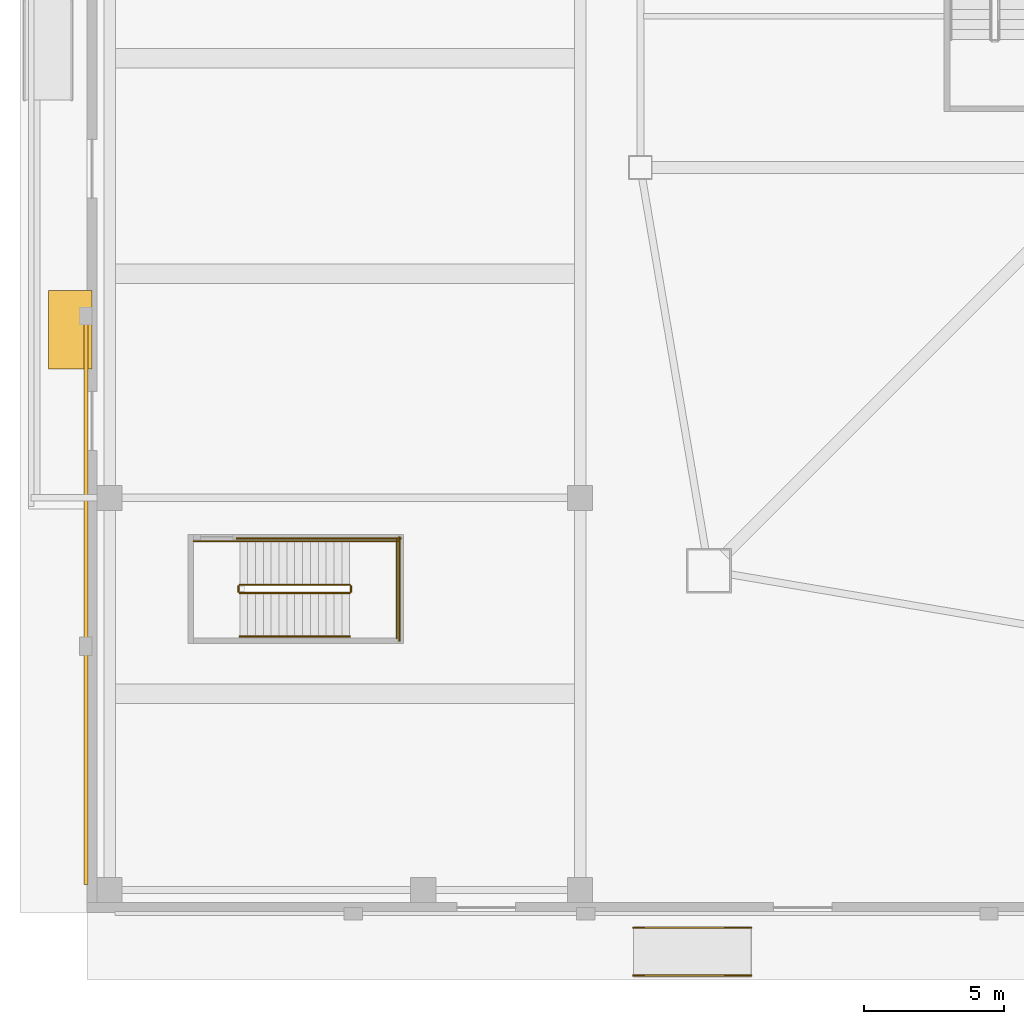
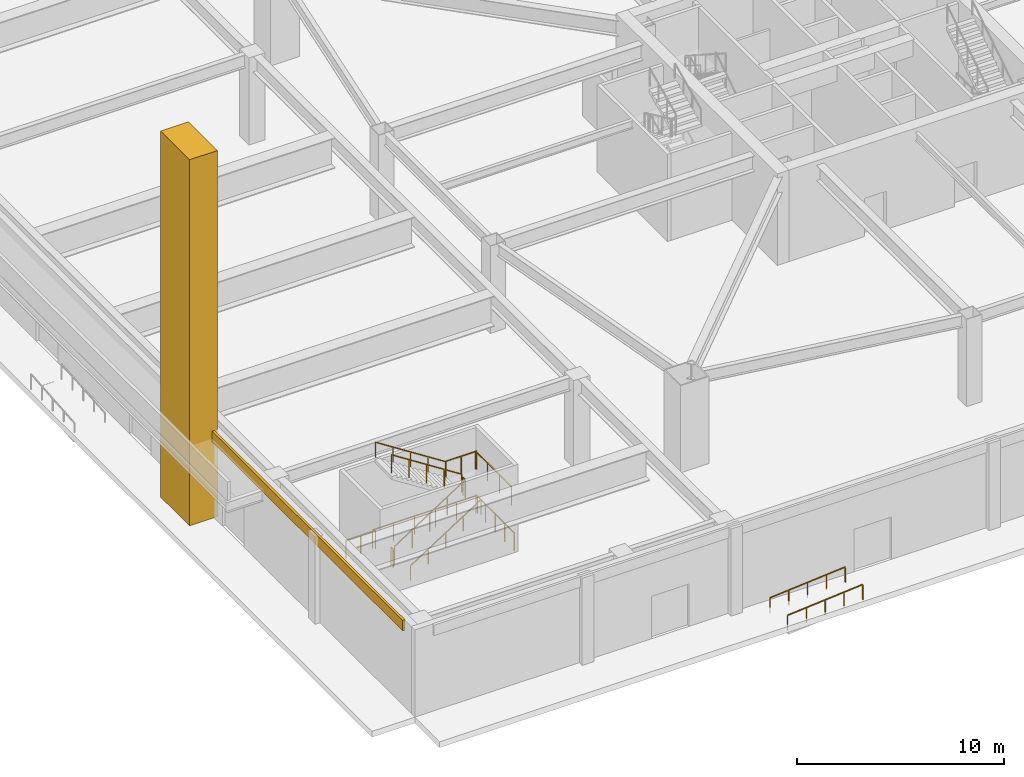
# One storey, part 17 of 26: 13 railings, 2 coverings.
"""IFC4 building model written with IfcOpenShell, lengths in metres."""

from ifc_helpers import new_model, si_unit, direction, frame, origin, origin_2d, place, context, subcontext, project, spatial, rectangle, extrude, material, layer, layer_set, type_object, element, save


model = new_model("IFC4")

# Units and contexts
model_context = context("Model", 3, precision=1e-05, world=origin(), true_north=direction((0.0, 1.0)))
body_context = subcontext(model_context, "Body", "Model", "MODEL_VIEW")
ifc_project = project(units=[si_unit("LENGTHUNIT", "METRE"), si_unit("AREAUNIT", "SQUARE_METRE"), si_unit("VOLUMEUNIT", "CUBIC_METRE"), si_unit("PLANEANGLEUNIT", "RADIAN"), si_unit("MASSUNIT", "GRAM", prefix="KILO")], contexts=[model_context])

# Site, building, storey
site_placement = place(None, origin())
site = spatial("IfcSite", under=ifc_project, at=site_placement, CompositionType="ELEMENT")
building_placement = place(site_placement, origin())
building = spatial("IfcBuilding", under=site, at=building_placement, Name="Tashvorn Skyway Center", CompositionType="ELEMENT")
storey_placement = place(building_placement, origin())
storey = spatial("IfcBuildingStorey", under=building, at=storey_placement, Name="L00", CompositionType="ELEMENT", Elevation=0.0)

# Coverings
ifc_material_1 = material(Name="Precast concrete C40/50", Category="concrete")
ifc_layer = layer(ifc_material_1, 0.35009765625)
ifc_layer_set = layer_set([ifc_layer], Name="Precast concrete C40/50")
covering_type = type_object("IfcCoveringType", Name="COV-STONE-TRIM", PredefinedType="CLADDING", material=ifc_layer_set)
covering_1_placement = place(storey_placement, frame((-0.0400390625, 11.0, 4.52001953125), z_axis=(0.0, 0.0, 1.0), x_axis=(1.0, 0.0, 0.0)))
element("IfcCovering", 1, at=covering_1_placement, inside=storey, type_object=covering_type, Name="L00 Mojave Limestone Entablature Band W1", PredefinedType="CLADDING", context=body_context, shape_type="SweptSolid", body=[
    extrude(rectangle(XDim=0.139892578125, YDim=20.0, at=origin_2d()), origin(), (0.0, 0.0, 1.0), 0.6201171875),
])
covering_2_placement = place(storey_placement, frame((-0.60009765625, 20.800048828125, 0.0), z_axis=(0.0, 0.0, 1.0), x_axis=(1.0, 0.0, 0.0)))
element("IfcCovering", 2, at=covering_2_placement, inside=storey, type_object=covering_type, Name="Postmodern Station Portal Limestone Pylon WEST 1", PredefinedType="CLADDING", context=body_context, shape_type="SweptSolid", body=[
    extrude(rectangle(XDim=1.550048828125, YDim=2.800048828125, at=origin_2d()), origin(), (0.0, 0.0, 1.0), 21.60009765625),
])

# Railings
ifc_material_2 = material(Name="Brushed stainless steel 316", Category="steel")
railing_type_1 = type_object("IfcRailingType", Name="RAIL-HAND-920", PredefinedType="HANDRAIL", material=ifc_material_2)
railing_1_placement = place(storey_placement, frame((5.449951171875, 9.85009765625, 0.179931640625)))
element("IfcRailing", 3, at=railing_1_placement, inside=storey, type_object=railing_type_1, Name="L00 ST-POD-1 stair handrail 1", PredefinedType="HANDRAIL", context=body_context, shape_type="SweptSolid", body=[
    extrude(rectangle(XDim=0.048095703125, YDim=0.048095703125, at=origin_2d()), frame((0.0, 0.0, 0.8759765625), z_axis=(0.841186985886, 0.0, 0.540744352514), x_axis=(0.0, 1.0, 0.0)), (0.0, 0.0, 1.0), 4.660400390625),
    extrude(rectangle(XDim=0.0419921875, YDim=0.0419921875, at=origin_2d()), origin(), (0.0, 0.0, 1.0), 0.851806640625),
    extrude(rectangle(XDim=0.0419921875, YDim=0.0419921875, at=origin_2d()), frame((0.97998046875, 0.0, 0.6298828125)), (0.0, 0.0, 1.0), 0.851806640625),
    extrude(rectangle(XDim=0.0419921875, YDim=0.0419921875, at=origin_2d()), frame((1.9599609375, 0.0, 1.260009765625)), (0.0, 0.0, 1.0), 0.851806640625),
    extrude(rectangle(XDim=0.0419921875, YDim=0.0419921875, at=origin_2d()), frame((2.940185546875, 0.0, 1.89013671875)), (0.0, 0.0, 1.0), 0.851806640625),
    extrude(rectangle(XDim=0.0419921875, YDim=0.0419921875, at=origin_2d()), frame((3.920166015625, 0.0, 2.52001953125)), (0.0, 0.0, 1.0), 0.851806640625),
])
railing_2_placement = place(storey_placement, frame((9.3701171875, 13.25, 2.8798828125)))
element("IfcRailing", 4, at=railing_2_placement, inside=storey, type_object=railing_type_1, Name="L00 ST-POD-1 stair handrail 2", PredefinedType="HANDRAIL", context=body_context, shape_type="SweptSolid", body=[
    extrude(rectangle(XDim=0.048095703125, YDim=0.048095703125, at=origin_2d()), frame((0.0, 0.0, 0.8759765625), z_axis=(-0.841186985886, 0.0, 0.540744352514), x_axis=(0.0, -1.0, 0.0)), (0.0, 0.0, 1.0), 4.660400390625),
    extrude(rectangle(XDim=0.0419921875, YDim=0.0419921875, at=origin_2d()), origin(), (0.0, 0.0, 1.0), 0.851806640625),
    extrude(rectangle(XDim=0.0419921875, YDim=0.0419921875, at=origin_2d()), frame((-0.97998046875, 0.0, 0.6298828125)), (0.0, 0.0, 1.0), 0.851806640625),
    extrude(rectangle(XDim=0.0419921875, YDim=0.0419921875, at=origin_2d()), frame((-1.9599609375, 0.0, 1.260009765625)), (0.0, 0.0, 1.0), 0.851806640625),
    extrude(rectangle(XDim=0.0419921875, YDim=0.0419921875, at=origin_2d()), frame((-2.940185546875, 0.0, 1.89013671875)), (0.0, 0.0, 1.0), 0.851806640625),
    extrude(rectangle(XDim=0.0419921875, YDim=0.0419921875, at=origin_2d()), frame((-3.920166015625, 0.0, 2.52001953125)), (0.0, 0.0, 1.0), 0.851806640625),
])
for number, where, name in (
    (5, (19.5, -2.25, -0.35009765625), "Accessible Ramp S1 Handrail L"),
    (6, (19.5, -0.550048828125, -0.35009765625), "Accessible Ramp S1 Handrail R"),
):
    element("IfcRailing", number, at=place(storey_placement, frame(where)), inside=storey, type_object=railing_type_1, Name=name, PredefinedType="HANDRAIL", context=body_context, shape_type="SweptSolid", body=[
        extrude(rectangle(XDim=0.048095703125, YDim=0.048095703125, at=origin_2d()), frame((0.0, 0.0, 0.89599609375), z_axis=(0.996543760423, 0.0, 0.083069450238), x_axis=(0.0, 1.0, 0.0)), (0.0, 0.0, 1.0), 4.214599609375),
        extrude(rectangle(XDim=0.0419921875, YDim=0.0419921875, at=origin_2d()), origin(), (0.0, 0.0, 1.0), 0.871826171875),
        extrude(rectangle(XDim=0.0419921875, YDim=0.0419921875, at=origin_2d()), frame((1.050048828125, 0.0, 0.08740234375)), (0.0, 0.0, 1.0), 0.871826171875),
        extrude(rectangle(XDim=0.0419921875, YDim=0.0419921875, at=origin_2d()), frame((2.10009765625, 0.0, 0.175048828125)), (0.0, 0.0, 1.0), 0.871826171875),
        extrude(rectangle(XDim=0.0419921875, YDim=0.0419921875, at=origin_2d()), frame((3.14990234375, 0.0, 0.2626953125)), (0.0, 0.0, 1.0), 0.871826171875),
        extrude(rectangle(XDim=0.0419921875, YDim=0.0419921875, at=origin_2d()), frame((4.199951171875, 0.0, 0.35009765625)), (0.0, 0.0, 1.0), 0.871826171875),
    ])
ifc_material_3 = material(Name="Painted galvanized steel S355", Category="steel")
railing_type_2 = type_object("IfcRailingType", Name="RAIL-STGUARD-1100", PredefinedType="GUARDRAIL", material=ifc_material_3)
railing_3_placement = place(storey_placement, frame((5.449951171875, 11.39990234375, 0.179931640625)))
element("IfcRailing", 7, at=railing_3_placement, inside=storey, type_object=railing_type_2, Name="L00 ST-POD-1 stair guard 1", PredefinedType="GUARDRAIL", context=body_context, shape_type="SweptSolid", body=[
    extrude(rectangle(XDim=0.048095703125, YDim=0.048095703125, at=origin_2d()), frame((0.0, 0.0, 1.076171875), z_axis=(0.841186985886, 0.0, 0.540744352514), x_axis=(0.0, 1.0, 0.0)), (0.0, 0.0, 1.0), 4.660400390625),
    extrude(rectangle(XDim=0.0419921875, YDim=0.0419921875, at=origin_2d()), origin(), (0.0, 0.0, 1.0), 1.052001953125),
    extrude(rectangle(XDim=0.0419921875, YDim=0.0419921875, at=origin_2d()), frame((0.97998046875, 0.0, 0.6298828125)), (0.0, 0.0, 1.0), 1.052001953125),
    extrude(rectangle(XDim=0.0419921875, YDim=0.0419921875, at=origin_2d()), frame((1.9599609375, 0.0, 1.260009765625)), (0.0, 0.0, 1.0), 1.052001953125),
    extrude(rectangle(XDim=0.0419921875, YDim=0.0419921875, at=origin_2d()), frame((2.940185546875, 0.0, 1.89013671875)), (0.0, 0.0, 1.0), 1.052001953125),
    extrude(rectangle(XDim=0.0419921875, YDim=0.0419921875, at=origin_2d()), frame((3.920166015625, 0.0, 2.52001953125)), (0.0, 0.0, 1.0), 1.052001953125),
])
railing_4_placement = place(storey_placement, frame((9.419921875, 11.449951171875, 2.699951171875)))
element("IfcRailing", 8, at=railing_4_placement, inside=storey, type_object=railing_type_2, Name="L00 ST-POD-1 stair guard 2", PredefinedType="GUARDRAIL", context=body_context, shape_type="SweptSolid", body=[
    extrude(rectangle(XDim=0.048095703125, YDim=0.048095703125, at=origin_2d()), frame((0.0, 0.0, 1.076171875), z_axis=(0.0, 1.0, 0.0), x_axis=(-1.0, 0.0, 0.0)), (0.0, 0.0, 1.0), 0.199951171875),
    extrude(rectangle(XDim=0.0419921875, YDim=0.0419921875, at=origin_2d()), origin(), (0.0, 0.0, 1.0), 1.052001953125),
    extrude(rectangle(XDim=0.0419921875, YDim=0.0419921875, at=origin_2d()), frame((0.0, 0.199951171875, 0.0)), (0.0, 0.0, 1.0), 1.052001953125),
])
railing_5_placement = place(storey_placement, frame((9.3701171875, 13.25, 2.699951171875)))
element("IfcRailing", 9, at=railing_5_placement, inside=storey, type_object=railing_type_2, Name="L00 ST-POD-1 stair guard 3", PredefinedType="GUARDRAIL", context=body_context, shape_type="SweptSolid", body=[
    extrude(rectangle(XDim=0.048095703125, YDim=0.048095703125, at=origin_2d()), frame((0.0, 0.0, 1.076171875), z_axis=(1.0, 0.0, 0.0), x_axis=(0.0, 1.0, 0.0)), (0.0, 0.0, 1.0), 1.72998046875),
    extrude(rectangle(XDim=0.0419921875, YDim=0.0419921875, at=origin_2d()), origin(), (0.0, 0.0, 1.0), 1.052001953125),
    extrude(rectangle(XDim=0.0419921875, YDim=0.0419921875, at=origin_2d()), frame((0.864990234375, 0.0, 0.0)), (0.0, 0.0, 1.0), 1.052001953125),
    extrude(rectangle(XDim=0.0419921875, YDim=0.0419921875, at=origin_2d()), frame((1.72998046875, 0.0, 0.0)), (0.0, 0.0, 1.0), 1.052001953125),
])
railing_6_placement = place(storey_placement, frame((11.050048828125, 9.800048828125, 2.699951171875)))
element("IfcRailing", 10, at=railing_6_placement, inside=storey, type_object=railing_type_2, Name="L00 ST-POD-1 stair guard 4", PredefinedType="GUARDRAIL", context=body_context, shape_type="SweptSolid", body=[
    extrude(rectangle(XDim=0.048095703125, YDim=0.048095703125, at=origin_2d()), frame((0.0, 0.0, 1.076171875), z_axis=(0.0, 1.0, 0.0), x_axis=(-1.0, 0.0, 0.0)), (0.0, 0.0, 1.0), 3.5),
    extrude(rectangle(XDim=0.0419921875, YDim=0.0419921875, at=origin_2d()), origin(), (0.0, 0.0, 1.0), 1.052001953125),
    extrude(rectangle(XDim=0.0419921875, YDim=0.0419921875, at=origin_2d()), frame((0.0, 1.166748046875, 0.0)), (0.0, 0.0, 1.0), 1.052001953125),
    extrude(rectangle(XDim=0.0419921875, YDim=0.0419921875, at=origin_2d()), frame((0.0, 2.333251953125, 0.0)), (0.0, 0.0, 1.0), 1.052001953125),
    extrude(rectangle(XDim=0.0419921875, YDim=0.0419921875, at=origin_2d()), frame((0.0, 3.5, 0.0)), (0.0, 0.0, 1.0), 1.052001953125),
])
railing_7_placement = place(storey_placement, frame((9.3701171875, 11.699951171875, 2.8798828125)))
element("IfcRailing", 11, at=railing_7_placement, inside=storey, type_object=railing_type_2, Name="L00 ST-POD-1 stair guard 5", PredefinedType="GUARDRAIL", context=body_context, shape_type="SweptSolid", body=[
    extrude(rectangle(XDim=0.048095703125, YDim=0.048095703125, at=origin_2d()), frame((0.0, 0.0, 1.076171875), z_axis=(-0.841186985886, 0.0, 0.540744352514), x_axis=(0.0, -1.0, 0.0)), (0.0, 0.0, 1.0), 4.660400390625),
    extrude(rectangle(XDim=0.0419921875, YDim=0.0419921875, at=origin_2d()), origin(), (0.0, 0.0, 1.0), 1.052001953125),
    extrude(rectangle(XDim=0.0419921875, YDim=0.0419921875, at=origin_2d()), frame((-0.97998046875, 0.0, 0.6298828125)), (0.0, 0.0, 1.0), 1.052001953125),
    extrude(rectangle(XDim=0.0419921875, YDim=0.0419921875, at=origin_2d()), frame((-1.9599609375, 0.0, 1.260009765625)), (0.0, 0.0, 1.0), 1.052001953125),
    extrude(rectangle(XDim=0.0419921875, YDim=0.0419921875, at=origin_2d()), frame((-2.940185546875, 0.0, 1.89013671875)), (0.0, 0.0, 1.0), 1.052001953125),
    extrude(rectangle(XDim=0.0419921875, YDim=0.0419921875, at=origin_2d()), frame((-3.920166015625, 0.0, 2.52001953125)), (0.0, 0.0, 1.0), 1.052001953125),
])
railing_8_placement = place(storey_placement, frame((5.39990234375, 11.449951171875, 0.0)))
element("IfcRailing", 12, at=railing_8_placement, inside=storey, type_object=railing_type_2, Name="L00 ST-POD-1 stair guard 6", PredefinedType="GUARDRAIL", context=body_context, shape_type="SweptSolid", body=[
    extrude(rectangle(XDim=0.048095703125, YDim=0.048095703125, at=origin_2d()), frame((0.0, 0.0, 1.076171875), z_axis=(0.0, 1.0, 0.0), x_axis=(-1.0, 0.0, 0.0)), (0.0, 0.0, 1.0), 0.199951171875),
    extrude(rectangle(XDim=0.0419921875, YDim=0.0419921875, at=origin_2d()), origin(), (0.0, 0.0, 1.0), 1.052001953125),
    extrude(rectangle(XDim=0.0419921875, YDim=0.0419921875, at=origin_2d()), frame((0.0, 0.199951171875, 0.0)), (0.0, 0.0, 1.0), 1.052001953125),
])
railing_9_placement = place(storey_placement, frame((3.800048828125, 13.25, 0.0)))
element("IfcRailing", 13, at=railing_9_placement, inside=storey, type_object=railing_type_2, Name="L00 ST-POD-1 stair guard 7", PredefinedType="GUARDRAIL", context=body_context, shape_type="SweptSolid", body=[
    extrude(rectangle(XDim=0.048095703125, YDim=0.048095703125, at=origin_2d()), frame((0.0, 0.0, 1.076171875), z_axis=(1.0, 0.0, 0.0), x_axis=(0.0, 1.0, 0.0)), (0.0, 0.0, 1.0), 1.64990234375),
    extrude(rectangle(XDim=0.0419921875, YDim=0.0419921875, at=origin_2d()), origin(), (0.0, 0.0, 1.0), 1.052001953125),
    extrude(rectangle(XDim=0.0419921875, YDim=0.0419921875, at=origin_2d()), frame((0.824951171875, 0.0, 0.0)), (0.0, 0.0, 1.0), 1.052001953125),
    extrude(rectangle(XDim=0.0419921875, YDim=0.0419921875, at=origin_2d()), frame((1.64990234375, 0.0, 0.0)), (0.0, 0.0, 1.0), 1.052001953125),
])
railing_10_placement = place(storey_placement, frame((5.35009765625, 13.35009765625, 0.0)))
element("IfcRailing", 14, at=railing_10_placement, inside=storey, type_object=railing_type_2, Name="L00 ST-POD-1 stair guard 8", PredefinedType="GUARDRAIL", context=body_context, shape_type="SweptSolid", body=[
    extrude(rectangle(XDim=0.048095703125, YDim=0.048095703125, at=origin_2d()), frame((0.0, 0.0, 1.076171875), z_axis=(1.0, 0.0, 0.0), x_axis=(0.0, 1.0, 0.0)), (0.0, 0.0, 1.0), 5.849853515625),
    extrude(rectangle(XDim=0.0419921875, YDim=0.0419921875, at=origin_2d()), origin(), (0.0, 0.0, 1.0), 1.052001953125),
    extrude(rectangle(XDim=0.0419921875, YDim=0.0419921875, at=origin_2d()), frame((1.169921875, 0.0, 0.0)), (0.0, 0.0, 1.0), 1.052001953125),
    extrude(rectangle(XDim=0.0419921875, YDim=0.0419921875, at=origin_2d()), frame((2.33984375, 0.0, 0.0)), (0.0, 0.0, 1.0), 1.052001953125),
    extrude(rectangle(XDim=0.0419921875, YDim=0.0419921875, at=origin_2d()), frame((3.510009765625, 0.0, 0.0)), (0.0, 0.0, 1.0), 1.052001953125),
    extrude(rectangle(XDim=0.0419921875, YDim=0.0419921875, at=origin_2d()), frame((4.679931640625, 0.0, 0.0)), (0.0, 0.0, 1.0), 1.052001953125),
    extrude(rectangle(XDim=0.0419921875, YDim=0.0419921875, at=origin_2d()), frame((5.849853515625, 0.0, 0.0)), (0.0, 0.0, 1.0), 1.052001953125),
])
railing_11_placement = place(storey_placement, frame((11.14990234375, 9.699951171875, 0.0)))
element("IfcRailing", 15, at=railing_11_placement, inside=storey, type_object=railing_type_2, Name="L00 ST-POD-1 stair guard 9", PredefinedType="GUARDRAIL", context=body_context, shape_type="SweptSolid", body=[
    extrude(rectangle(XDim=0.048095703125, YDim=0.048095703125, at=origin_2d()), frame((0.0, 0.0, 1.076171875), z_axis=(0.0, 1.0, 0.0), x_axis=(-1.0, 0.0, 0.0)), (0.0, 0.0, 1.0), 3.699951171875),
    extrude(rectangle(XDim=0.0419921875, YDim=0.0419921875, at=origin_2d()), origin(), (0.0, 0.0, 1.0), 1.052001953125),
    extrude(rectangle(XDim=0.0419921875, YDim=0.0419921875, at=origin_2d()), frame((0.0, 0.925048828125, 0.0)), (0.0, 0.0, 1.0), 1.052001953125),
    extrude(rectangle(XDim=0.0419921875, YDim=0.0419921875, at=origin_2d()), frame((0.0, 1.85009765625, 0.0)), (0.0, 0.0, 1.0), 1.052001953125),
    extrude(rectangle(XDim=0.0419921875, YDim=0.0419921875, at=origin_2d()), frame((0.0, 2.77490234375, 0.0)), (0.0, 0.0, 1.0), 1.052001953125),
    extrude(rectangle(XDim=0.0419921875, YDim=0.0419921875, at=origin_2d()), frame((0.0, 3.699951171875, 0.0)), (0.0, 0.0, 1.0), 1.052001953125),
])

save(model, "model.ifc")
